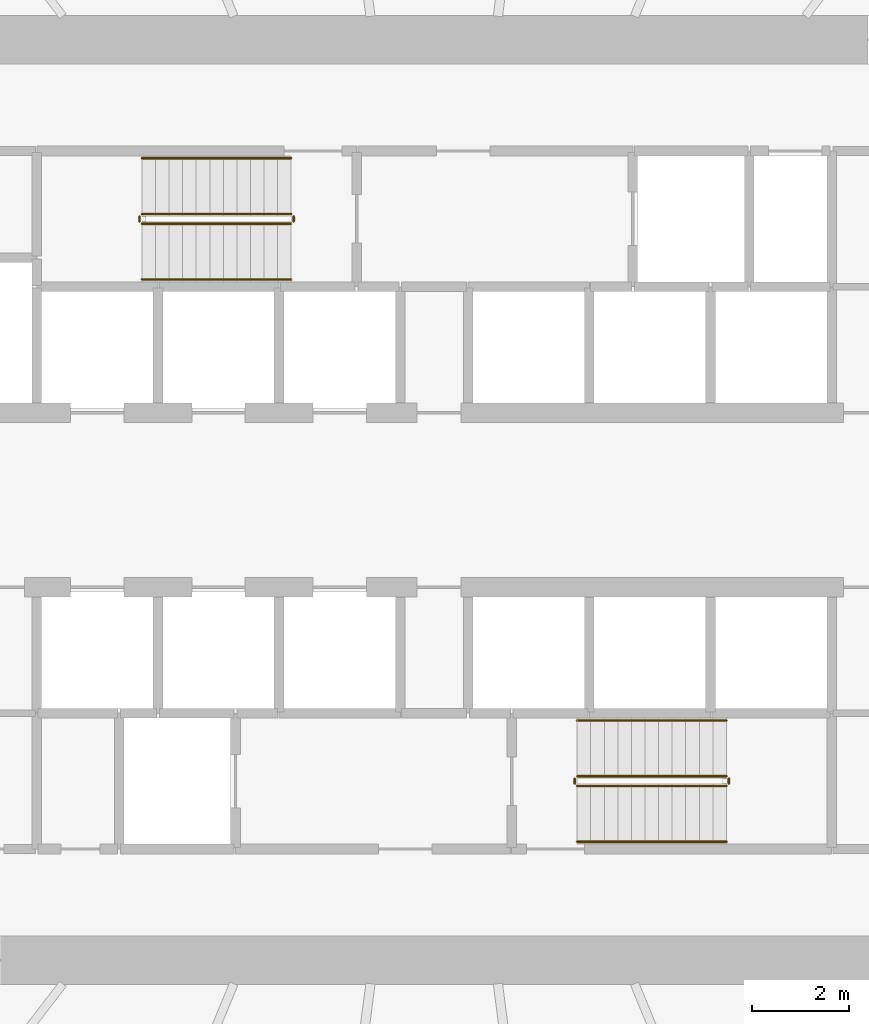
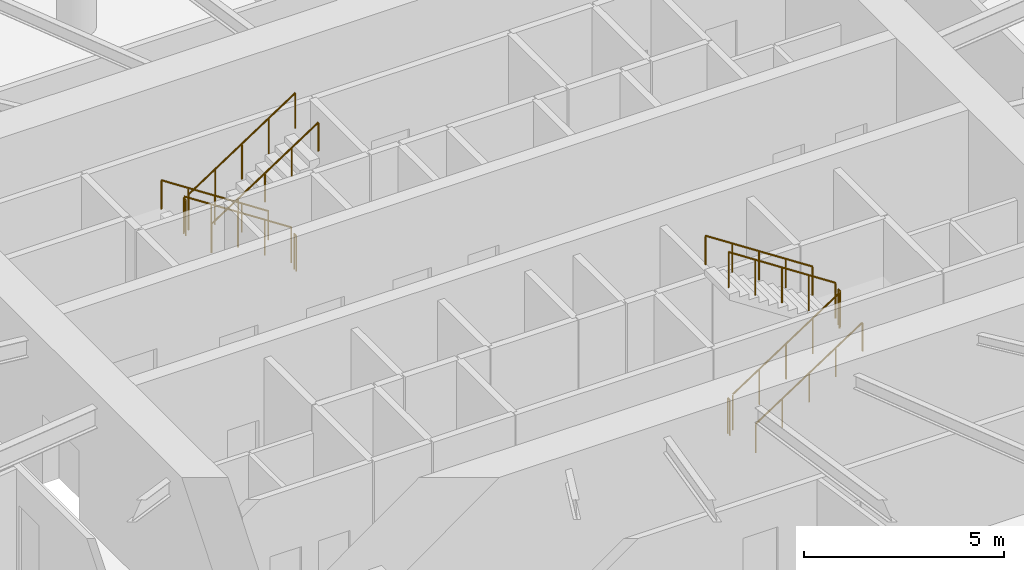
# One storey, part 17 of 21: 12 railings.
"""IFC4 building model written with IfcOpenShell, lengths in metres."""

from ifc_helpers import new_model, si_unit, direction, frame, origin, origin_2d, place, context, subcontext, project, spatial, circle, extrude, material, type_object, element, save


model = new_model("IFC4")

# Units and contexts
model_context = context("Model", 3, precision=1e-05, world=origin(), true_north=direction((0.0, 1.0)))
body_context = subcontext(model_context, "Body", "Model", "MODEL_VIEW")
ifc_project = project(units=[si_unit("LENGTHUNIT", "METRE"), si_unit("AREAUNIT", "SQUARE_METRE"), si_unit("VOLUMEUNIT", "CUBIC_METRE"), si_unit("PLANEANGLEUNIT", "RADIAN"), si_unit("MASSUNIT", "GRAM", prefix="KILO")], contexts=[model_context])

# Site, building, storey
site_placement = place(None, origin())
site = spatial("IfcSite", under=ifc_project, at=site_placement, CompositionType="ELEMENT")
building_placement = place(site_placement, origin())
building = spatial("IfcBuilding", under=site, at=building_placement, Name="Spindrift Exchange Tower", CompositionType="ELEMENT")
storey_placement = place(building_placement, frame((0.0, 0.0, 9.39990234375)))
storey = spatial("IfcBuildingStorey", under=building, at=storey_placement, Name="L02", CompositionType="ELEMENT", Elevation=9.39990234375)

# Railings
ifc_material_1 = material(Name="Steel balustrade", Category="steel")
railing_type_1 = type_object("IfcRailingType", Name="RL-STAIR-GUARD", PredefinedType="GUARDRAIL", material=ifc_material_1)
railing_1_placement = place(storey_placement, frame((49.050048828125, 53.89990234375, 0.183349609375)))
element("IfcRailing", 1, at=railing_1_placement, inside=storey, type_object=railing_type_1, Name="L02 ST1 stair guard 1", PredefinedType="GUARDRAIL", context=body_context, shape_type="SweptSolid", body=[
    extrude(circle(Radius=0.02392578125, at=origin_2d()), frame((0.0, 0.0, 1.076171875), z_axis=(-0.836602609513, 0.0, 0.547810253423), x_axis=(0.0, -1.0, 0.0)), (0.0, 0.0, 1.0), 3.681640625),
    extrude(circle(Radius=0.02099609375, at=origin_2d()), origin(), (0.0, 0.0, 1.0), 1.052001953125),
    extrude(circle(Radius=0.02099609375, at=origin_2d()), frame((-0.77001953125, 0.0, 0.504150390625)), (0.0, 0.0, 1.0), 1.052001953125),
    extrude(circle(Radius=0.02099609375, at=origin_2d()), frame((-1.5400390625, 0.0, 1.00830078125)), (0.0, 0.0, 1.0), 1.052001953125),
    extrude(circle(Radius=0.02099609375, at=origin_2d()), frame((-2.31005859375, 0.0, 1.5126953125)), (0.0, 0.0, 1.0), 1.052001953125),
    extrude(circle(Radius=0.02099609375, at=origin_2d()), frame((-3.080078125, 0.0, 2.016845703125)), (0.0, 0.0, 1.0), 1.052001953125),
])
railing_2_placement = place(storey_placement, frame((45.919921875, 53.85009765625, 2.2001953125)))
element("IfcRailing", 2, at=railing_2_placement, inside=storey, type_object=railing_type_1, Name="L02 ST1 stair guard 2", PredefinedType="GUARDRAIL", context=body_context, shape_type="SweptSolid", body=[
    extrude(circle(Radius=0.02392578125, at=origin_2d()), frame((0.0, 0.0, 1.076171875), z_axis=(0.0, -1.0, 0.0), x_axis=(1.0, 0.0, 0.0)), (0.0, 0.0, 1.0), 0.10009765625),
    extrude(circle(Radius=0.02099609375, at=origin_2d()), origin(), (0.0, 0.0, 1.0), 1.052001953125),
    extrude(circle(Radius=0.02099609375, at=origin_2d()), frame((0.0, -0.10009765625, 0.0)), (0.0, 0.0, 1.0), 1.052001953125),
])
railing_3_placement = place(storey_placement, frame((45.969970703125, 53.699951171875, 2.383544921875)))
element("IfcRailing", 3, at=railing_3_placement, inside=storey, type_object=railing_type_1, Name="L02 ST1 stair guard 3", PredefinedType="GUARDRAIL", context=body_context, shape_type="SweptSolid", body=[
    extrude(circle(Radius=0.02392578125, at=origin_2d()), frame((0.0, 0.0, 1.076171875), z_axis=(0.836633000464, 0.0, 0.547763838287), x_axis=(0.0, 1.0, 0.0)), (0.0, 0.0, 1.0), 3.681396484375),
    extrude(circle(Radius=0.02099609375, at=origin_2d()), origin(), (0.0, 0.0, 1.0), 1.052001953125),
    extrude(circle(Radius=0.02099609375, at=origin_2d()), frame((0.77001953125, 0.0, 0.504150390625)), (0.0, 0.0, 1.0), 1.052001953125),
    extrude(circle(Radius=0.02099609375, at=origin_2d()), frame((1.5400390625, 0.0, 1.00830078125)), (0.0, 0.0, 1.0), 1.052001953125),
    extrude(circle(Radius=0.02099609375, at=origin_2d()), frame((2.31005859375, 0.0, 1.512451171875)), (0.0, 0.0, 1.0), 1.052001953125),
    extrude(circle(Radius=0.02099609375, at=origin_2d()), frame((3.080078125, 0.0, 2.0166015625)), (0.0, 0.0, 1.0), 1.052001953125),
])
railing_4_placement = place(storey_placement, frame((49.10009765625, 53.85009765625, 0.0)))
element("IfcRailing", 4, at=railing_4_placement, inside=storey, type_object=railing_type_1, Name="L02 ST1 stair guard 4", PredefinedType="GUARDRAIL", context=body_context, shape_type="SweptSolid", body=[
    extrude(circle(Radius=0.02392578125, at=origin_2d()), frame((0.0, 0.0, 1.076171875), z_axis=(0.0, -1.0, 0.0), x_axis=(1.0, 0.0, 0.0)), (0.0, 0.0, 1.0), 0.10009765625),
    extrude(circle(Radius=0.02099609375, at=origin_2d()), origin(), (0.0, 0.0, 1.0), 1.052001953125),
    extrude(circle(Radius=0.02099609375, at=origin_2d()), frame((0.0, -0.10009765625, 0.0)), (0.0, 0.0, 1.0), 1.052001953125),
])
railing_5_placement = place(storey_placement, frame((54.949951171875, 42.10009765625, 0.183349609375)))
element("IfcRailing", 5, at=railing_5_placement, inside=storey, type_object=railing_type_1, Name="L02 ST2 stair guard 1", PredefinedType="GUARDRAIL", context=body_context, shape_type="SweptSolid", body=[
    extrude(circle(Radius=0.02392578125, at=origin_2d()), frame((0.0, 0.0, 1.076171875), z_axis=(0.836602609513, 0.0, 0.547810253423), x_axis=(0.0, 1.0, 0.0)), (0.0, 0.0, 1.0), 3.681640625),
    extrude(circle(Radius=0.02099609375, at=origin_2d()), origin(), (0.0, 0.0, 1.0), 1.052001953125),
    extrude(circle(Radius=0.02099609375, at=origin_2d()), frame((0.77001953125, 0.0, 0.504150390625)), (0.0, 0.0, 1.0), 1.052001953125),
    extrude(circle(Radius=0.02099609375, at=origin_2d()), frame((1.5400390625, 0.0, 1.00830078125)), (0.0, 0.0, 1.0), 1.052001953125),
    extrude(circle(Radius=0.02099609375, at=origin_2d()), frame((2.31005859375, 0.0, 1.5126953125)), (0.0, 0.0, 1.0), 1.052001953125),
    extrude(circle(Radius=0.02099609375, at=origin_2d()), frame((3.080078125, 0.0, 2.016845703125)), (0.0, 0.0, 1.0), 1.052001953125),
])
railing_6_placement = place(storey_placement, frame((58.080078125, 42.14990234375, 2.2001953125)))
element("IfcRailing", 6, at=railing_6_placement, inside=storey, type_object=railing_type_1, Name="L02 ST2 stair guard 2", PredefinedType="GUARDRAIL", context=body_context, shape_type="SweptSolid", body=[
    extrude(circle(Radius=0.02392578125, at=origin_2d()), frame((0.0, 0.0, 1.076171875), z_axis=(0.0, 1.0, 0.0), x_axis=(-1.0, 0.0, 0.0)), (0.0, 0.0, 1.0), 0.10009765625),
    extrude(circle(Radius=0.02099609375, at=origin_2d()), origin(), (0.0, 0.0, 1.0), 1.052001953125),
    extrude(circle(Radius=0.02099609375, at=origin_2d()), frame((0.0, 0.10009765625, 0.0)), (0.0, 0.0, 1.0), 1.052001953125),
])
railing_7_placement = place(storey_placement, frame((58.030029296875, 42.300048828125, 2.383544921875)))
element("IfcRailing", 7, at=railing_7_placement, inside=storey, type_object=railing_type_1, Name="L02 ST2 stair guard 3", PredefinedType="GUARDRAIL", context=body_context, shape_type="SweptSolid", body=[
    extrude(circle(Radius=0.02392578125, at=origin_2d()), frame((0.0, 0.0, 1.076171875), z_axis=(-0.836633000464, 0.0, 0.547763838287), x_axis=(0.0, -1.0, 0.0)), (0.0, 0.0, 1.0), 3.681396484375),
    extrude(circle(Radius=0.02099609375, at=origin_2d()), origin(), (0.0, 0.0, 1.0), 1.052001953125),
    extrude(circle(Radius=0.02099609375, at=origin_2d()), frame((-0.77001953125, 0.0, 0.504150390625)), (0.0, 0.0, 1.0), 1.052001953125),
    extrude(circle(Radius=0.02099609375, at=origin_2d()), frame((-1.5400390625, 0.0, 1.00830078125)), (0.0, 0.0, 1.0), 1.052001953125),
    extrude(circle(Radius=0.02099609375, at=origin_2d()), frame((-2.31005859375, 0.0, 1.512451171875)), (0.0, 0.0, 1.0), 1.052001953125),
    extrude(circle(Radius=0.02099609375, at=origin_2d()), frame((-3.080078125, 0.0, 2.0166015625)), (0.0, 0.0, 1.0), 1.052001953125),
])
railing_8_placement = place(storey_placement, frame((54.89990234375, 42.14990234375, 0.0)))
element("IfcRailing", 8, at=railing_8_placement, inside=storey, type_object=railing_type_1, Name="L02 ST2 stair guard 4", PredefinedType="GUARDRAIL", context=body_context, shape_type="SweptSolid", body=[
    extrude(circle(Radius=0.02392578125, at=origin_2d()), frame((0.0, 0.0, 1.076171875), z_axis=(0.0, 1.0, 0.0), x_axis=(-1.0, 0.0, 0.0)), (0.0, 0.0, 1.0), 0.10009765625),
    extrude(circle(Radius=0.02099609375, at=origin_2d()), origin(), (0.0, 0.0, 1.0), 1.052001953125),
    extrude(circle(Radius=0.02099609375, at=origin_2d()), frame((0.0, 0.10009765625, 0.0)), (0.0, 0.0, 1.0), 1.052001953125),
])
ifc_material_2 = material(Name="Steel tubular handrail", Category="steel")
railing_type_2 = type_object("IfcRailingType", Name="RL-STAIR-HAND", PredefinedType="HANDRAIL", material=ifc_material_2)
railing_9_placement = place(storey_placement, frame((49.050048828125, 55.050048828125, 0.183349609375)))
element("IfcRailing", 9, at=railing_9_placement, inside=storey, type_object=railing_type_2, Name="L02 ST1 stair handrail 1", PredefinedType="HANDRAIL", context=body_context, shape_type="SweptSolid", body=[
    extrude(circle(Radius=0.02392578125, at=origin_2d()), frame((0.0, 0.0, 0.8759765625), z_axis=(-0.836602609513, 0.0, 0.547810253423), x_axis=(0.0, -1.0, 0.0)), (0.0, 0.0, 1.0), 3.681640625),
    extrude(circle(Radius=0.02099609375, at=origin_2d()), origin(), (0.0, 0.0, 1.0), 0.851806640625),
    extrude(circle(Radius=0.02099609375, at=origin_2d()), frame((-0.77001953125, 0.0, 0.504150390625)), (0.0, 0.0, 1.0), 0.851806640625),
    extrude(circle(Radius=0.02099609375, at=origin_2d()), frame((-1.5400390625, 0.0, 1.00830078125)), (0.0, 0.0, 1.0), 0.851806640625),
    extrude(circle(Radius=0.02099609375, at=origin_2d()), frame((-2.31005859375, 0.0, 1.5126953125)), (0.0, 0.0, 1.0), 0.851806640625),
    extrude(circle(Radius=0.02099609375, at=origin_2d()), frame((-3.080078125, 0.0, 2.016845703125)), (0.0, 0.0, 1.0), 0.851806640625),
])
railing_10_placement = place(storey_placement, frame((45.969970703125, 52.550048828125, 2.383544921875)))
element("IfcRailing", 10, at=railing_10_placement, inside=storey, type_object=railing_type_2, Name="L02 ST1 stair handrail 2", PredefinedType="HANDRAIL", context=body_context, shape_type="SweptSolid", body=[
    extrude(circle(Radius=0.02392578125, at=origin_2d()), frame((0.0, 0.0, 0.8759765625), z_axis=(0.836633000464, 0.0, 0.547763838287), x_axis=(0.0, 1.0, 0.0)), (0.0, 0.0, 1.0), 3.681396484375),
    extrude(circle(Radius=0.02099609375, at=origin_2d()), origin(), (0.0, 0.0, 1.0), 0.851806640625),
    extrude(circle(Radius=0.02099609375, at=origin_2d()), frame((0.77001953125, 0.0, 0.504150390625)), (0.0, 0.0, 1.0), 0.851806640625),
    extrude(circle(Radius=0.02099609375, at=origin_2d()), frame((1.5400390625, 0.0, 1.00830078125)), (0.0, 0.0, 1.0), 0.851806640625),
    extrude(circle(Radius=0.02099609375, at=origin_2d()), frame((2.31005859375, 0.0, 1.512451171875)), (0.0, 0.0, 1.0), 0.851806640625),
    extrude(circle(Radius=0.02099609375, at=origin_2d()), frame((3.080078125, 0.0, 2.0166015625)), (0.0, 0.0, 1.0), 0.851806640625),
])
railing_11_placement = place(storey_placement, frame((54.949951171875, 40.949951171875, 0.183349609375)))
element("IfcRailing", 11, at=railing_11_placement, inside=storey, type_object=railing_type_2, Name="L02 ST2 stair handrail 1", PredefinedType="HANDRAIL", context=body_context, shape_type="SweptSolid", body=[
    extrude(circle(Radius=0.02392578125, at=origin_2d()), frame((0.0, 0.0, 0.8759765625), z_axis=(0.836602609513, 0.0, 0.547810253423), x_axis=(0.0, 1.0, 0.0)), (0.0, 0.0, 1.0), 3.681640625),
    extrude(circle(Radius=0.02099609375, at=origin_2d()), origin(), (0.0, 0.0, 1.0), 0.851806640625),
    extrude(circle(Radius=0.02099609375, at=origin_2d()), frame((0.77001953125, 0.0, 0.504150390625)), (0.0, 0.0, 1.0), 0.851806640625),
    extrude(circle(Radius=0.02099609375, at=origin_2d()), frame((1.5400390625, 0.0, 1.00830078125)), (0.0, 0.0, 1.0), 0.851806640625),
    extrude(circle(Radius=0.02099609375, at=origin_2d()), frame((2.31005859375, 0.0, 1.5126953125)), (0.0, 0.0, 1.0), 0.851806640625),
    extrude(circle(Radius=0.02099609375, at=origin_2d()), frame((3.080078125, 0.0, 2.016845703125)), (0.0, 0.0, 1.0), 0.851806640625),
])
railing_12_placement = place(storey_placement, frame((58.030029296875, 43.449951171875, 2.383544921875)))
element("IfcRailing", 12, at=railing_12_placement, inside=storey, type_object=railing_type_2, Name="L02 ST2 stair handrail 2", PredefinedType="HANDRAIL", context=body_context, shape_type="SweptSolid", body=[
    extrude(circle(Radius=0.02392578125, at=origin_2d()), frame((0.0, 0.0, 0.8759765625), z_axis=(-0.836633000464, 0.0, 0.547763838287), x_axis=(0.0, -1.0, 0.0)), (0.0, 0.0, 1.0), 3.681396484375),
    extrude(circle(Radius=0.02099609375, at=origin_2d()), origin(), (0.0, 0.0, 1.0), 0.851806640625),
    extrude(circle(Radius=0.02099609375, at=origin_2d()), frame((-0.77001953125, 0.0, 0.504150390625)), (0.0, 0.0, 1.0), 0.851806640625),
    extrude(circle(Radius=0.02099609375, at=origin_2d()), frame((-1.5400390625, 0.0, 1.00830078125)), (0.0, 0.0, 1.0), 0.851806640625),
    extrude(circle(Radius=0.02099609375, at=origin_2d()), frame((-2.31005859375, 0.0, 1.512451171875)), (0.0, 0.0, 1.0), 0.851806640625),
    extrude(circle(Radius=0.02099609375, at=origin_2d()), frame((-3.080078125, 0.0, 2.0166015625)), (0.0, 0.0, 1.0), 0.851806640625),
])

save(model, "model.ifc")
